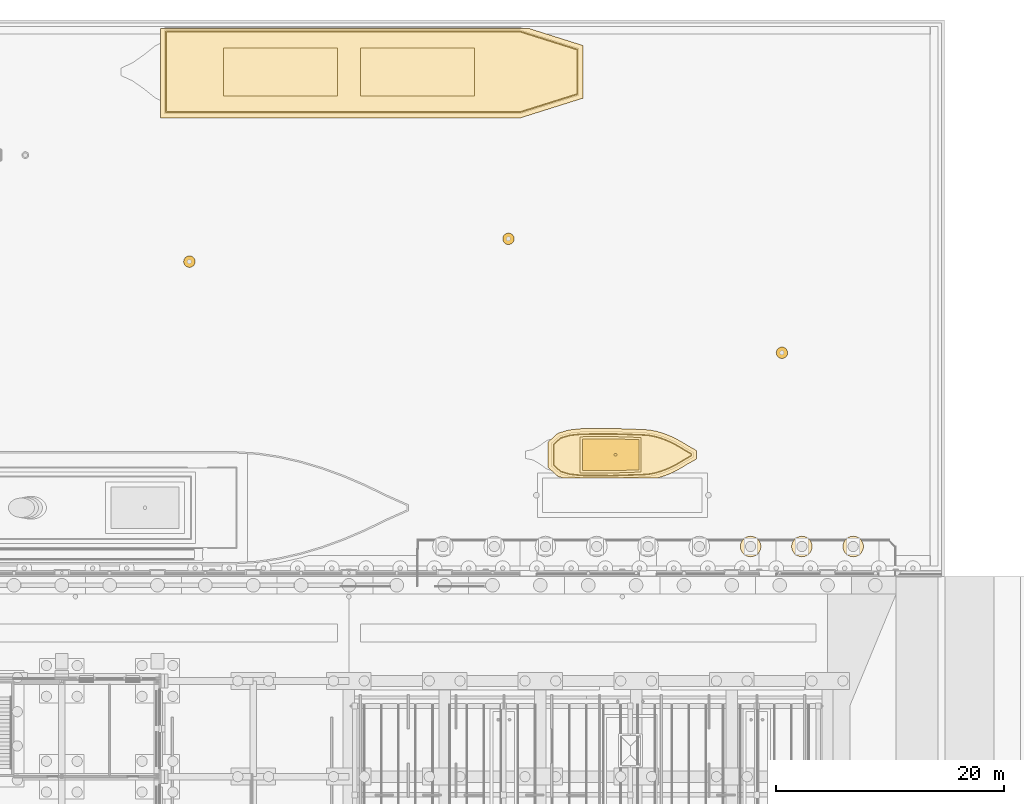
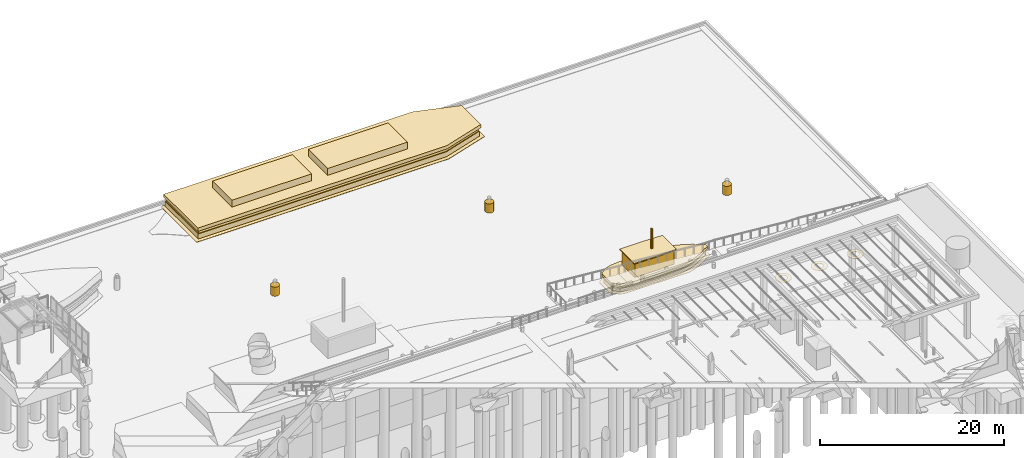
# One storey, part 204 of 222: 19 coverings.
"""IFC4 building model written with IfcOpenShell, lengths in metres."""

from ifc_helpers import new_model, si_unit, direction, frame, origin, origin_2d, place, context, subcontext, project, spatial, polyline, circle, outline, extrude, material, layer, layer_set, type_object, element, save


model = new_model("IFC4")

# Units and contexts
model_context = context("Model", 3, precision=1e-05, world=origin(), true_north=direction((0.0, 1.0)))
body_context = subcontext(model_context, "Body", "Model", "MODEL_VIEW")
ifc_project = project(units=[si_unit("LENGTHUNIT", "METRE"), si_unit("AREAUNIT", "SQUARE_METRE"), si_unit("VOLUMEUNIT", "CUBIC_METRE"), si_unit("PLANEANGLEUNIT", "RADIAN"), si_unit("MASSUNIT", "GRAM", prefix="KILO")], contexts=[model_context])

# Site, building, storey
site_placement = place(None, origin())
site = spatial("IfcSite", under=ifc_project, at=site_placement, CompositionType="ELEMENT")
building_placement = place(site_placement, origin())
building = spatial("IfcBuilding", under=site, at=building_placement, Name="Sava Quay Ferry Terminal", CompositionType="ELEMENT")
storey_placement = place(building_placement, origin())
storey = spatial("IfcBuildingStorey", under=building, at=storey_placement, Name="L00", CompositionType="ELEMENT", Elevation=0.0)

# Coverings
ifc_material_1 = material(Name="Steel S355", Category="steel")
ifc_layer_1 = layer(ifc_material_1, 0.89990234375)
ifc_layer_set_1 = layer_set([ifc_layer_1], Name="Steel S355")
covering_type_1 = type_object("IfcCoveringType", Name="Barge hatch coaming", PredefinedType="CLADDING", material=ifc_layer_set_1)
covering_1_placement = place(storey_placement, frame((0.0, 0.0, -6.39990234375)))
element("IfcCovering", 1, at=covering_1_placement, inside=storey, type_object=covering_type_1, Name="Barge hatch coaming", PredefinedType="CLADDING", context=body_context, shape_type="SweptSolid", body=[
    extrude(outline(polyline([(125.0, 160.554931640625), (125.0, 164.7548828125), (115.0, 164.7548828125), (115.0, 160.554931640625), (125.0, 160.554931640625)])), origin(), (0.0, 0.0, 1.0), 0.89990234375),
])
covering_2_placement = place(storey_placement, frame((0.0, 0.0, -6.39990234375)))
element("IfcCovering", 2, at=covering_2_placement, inside=storey, type_object=covering_type_1, Name="Barge hatch coaming", PredefinedType="CLADDING", context=body_context, shape_type="SweptSolid", body=[
    extrude(outline(polyline([(137.0, 160.554931640625), (137.0, 164.7548828125), (127.0, 164.7548828125), (127.0, 160.554931640625), (137.0, 160.554931640625)])), origin(), (0.0, 0.0, 1.0), 0.89990234375),
])
ifc_material_2 = material(Name="Steel S355", Category="steel")
ifc_layer_2 = layer(ifc_material_2, 1.60009765625)
ifc_layer_set_2 = layer_set([ifc_layer_2], Name="Steel S355")
covering_type_2 = type_object("IfcCoveringType", Name="Barge hull side", PredefinedType="CLADDING", material=ifc_layer_set_2)
covering_3_placement = place(storey_placement, frame((0.0, 0.0, -7.300048828125)))
element("IfcCovering", 3, at=covering_3_placement, inside=storey, type_object=covering_type_2, Name="Moored barge hull", PredefinedType="CLADDING", context=body_context, shape_type="SweptSolid", body=[
    extrude(outline(polyline([(110.0, 159.155029296875), (141.0, 159.155029296875), (146.0, 160.72998046875), (146.0, 164.580078125), (141.0, 166.155029296875), (110.0, 166.155029296875), (110.0, 159.155029296875)])), origin(), (0.0, 0.0, 1.0), 0.449951171875),
])
covering_4_placement = place(storey_placement, frame((0.0, 0.0, -6.85009765625)))
element("IfcCovering", 4, at=covering_4_placement, inside=storey, type_object=covering_type_2, Name="Moored barge hull", PredefinedType="CLADDING", context=body_context, shape_type="SweptSolid", body=[
    extrude(outline(polyline([(109.800048828125, 158.955078125), (141.031005859375, 158.955078125), (146.199951171875, 160.5830078125), (146.199951171875, 164.72705078125), (141.031005859375, 166.35498046875), (109.800048828125, 166.35498046875), (109.800048828125, 158.955078125)])), origin(), (0.0, 0.0, 1.0), 0.4501953125),
])
ifc_material_3 = material(Name="Aluminium cladding", Category="aluminium")
ifc_layer_3 = layer(ifc_material_3, 1.89990234375)
ifc_layer_set_3 = layer_set([ifc_layer_3], Name="Aluminium cladding")
covering_type_3 = type_object("IfcCoveringType", Name="Launch cabin", PredefinedType="CLADDING", material=ifc_layer_set_3)
covering_5_placement = place(storey_placement, frame((0.0, 0.0, -6.800048828125)))
element("IfcCovering", 5, at=covering_5_placement, inside=storey, type_object=covering_type_3, Name="Launch cabin", PredefinedType="CLADDING", context=body_context, shape_type="SweptSolid", body=[
    extrude(outline(polyline([(149.094970703125, 130.449951171875), (146.5, 130.430908203125), (146.5, 127.6689453125), (149.094970703125, 127.64990234375), (151.43994140625, 127.72802734375), (151.43994140625, 130.3720703125), (149.094970703125, 130.449951171875)])), origin(), (0.0, 0.0, 1.0), 1.900146484375),
])
ifc_material_4 = material(Name="Steel S355", Category="steel")
ifc_layer_4 = layer(ifc_material_4, 1.199951171875)
ifc_layer_set_4 = layer_set([ifc_layer_4], Name="Steel S355")
covering_type_4 = type_object("IfcCoveringType", Name="Launch hull side", PredefinedType="CLADDING", material=ifc_layer_set_4)
covering_6_placement = place(storey_placement, frame((0.0, 0.0, -7.5)))
element("IfcCovering", 6, at=covering_6_placement, inside=storey, type_object=covering_type_4, Name="Harbour master's launch hull", PredefinedType="CLADDING", context=body_context, shape_type="SweptSolid", body=[
    extrude(outline(polyline([(144.0, 129.949951171875), (144.0, 128.14990234375), (144.60009765625, 127.610107421875), (145.39990234375, 127.3759765625), (146.39990234375, 127.27001953125), (149.10009765625, 127.25), (151.800048828125, 127.340087890625), (152.324951171875, 127.3798828125), (152.85009765625, 127.48095703125), (153.375, 127.633056640625), (153.89990234375, 127.8310546875), (154.425048828125, 128.073974609375), (154.949951171875, 128.35888671875), (155.47509765625, 128.68505859375), (156.0, 128.97802734375), (156.0, 129.1220703125), (155.47509765625, 129.4150390625), (154.949951171875, 129.740966796875), (154.425048828125, 130.02587890625), (153.89990234375, 130.26904296875), (153.375, 130.467041015625), (152.85009765625, 130.618896484375), (152.324951171875, 130.719970703125), (151.800048828125, 130.760009765625), (149.10009765625, 130.85009765625), (146.39990234375, 130.830078125), (145.39990234375, 130.72412109375), (144.60009765625, 130.489990234375), (144.0, 129.949951171875)])), origin(), (0.0, 0.0, 1.0), 0.35009765625),
])
covering_7_placement = place(storey_placement, frame((0.0, 0.0, -7.14990234375)))
element("IfcCovering", 7, at=covering_7_placement, inside=storey, type_object=covering_type_4, Name="Harbour master's launch hull", PredefinedType="CLADDING", context=body_context, shape_type="SweptSolid", body=[
    extrude(outline(polyline([(143.75, 130.06103515625), (143.75, 128.0390625), (144.47509765625, 127.385986328125), (145.35107421875, 127.1298828125), (146.385986328125, 127.02001953125), (149.10302734375, 127.0), (151.81396484375, 127.090087890625), (152.35791015625, 127.132080078125), (152.907958984375, 127.238037109375), (153.4541015625, 127.39501953125), (153.9970703125, 127.60009765625), (154.537109375, 127.85009765625), (155.075927734375, 128.14306640625), (155.60205078125, 128.468994140625), (156.25, 128.8310546875), (156.25, 129.26904296875), (155.60205078125, 129.631103515625), (155.075927734375, 129.95703125), (154.537109375, 130.25), (153.9970703125, 130.5), (153.4541015625, 130.705078125), (152.907958984375, 130.862060546875), (152.35791015625, 130.968017578125), (151.81396484375, 131.010009765625), (149.10302734375, 131.10009765625), (146.385986328125, 131.080078125), (145.35107421875, 130.969970703125), (144.47509765625, 130.714111328125), (143.75, 130.06103515625)])), origin(), (0.0, 0.0, 1.0), 0.349853515625),
])
ifc_material_5 = material(Name="Steel painted", Category="steel")
ifc_layer_5 = layer(ifc_material_5, 1.0)
ifc_layer_set_5 = layer_set([ifc_layer_5], Name="Steel painted")
covering_type_5 = type_object("IfcCoveringType", Name="Mooring buoy 1000", PredefinedType="CLADDING", material=ifc_layer_set_5)
for number, where, z_axis, x_axis, name in (
    (8, (112.0, 146.0, -6.800048828125), (0.0, 0.0, -1.0), (1.0, 0.0, 0.0), "Mooring buoy"),
    (9, (140.0, 148.0, -6.800048828125), (0.0, 0.0, -1.0), (1.0, 0.0, 0.0), "Mooring buoy"),
    (10, (164.0, 138.0, -6.800048828125), (0.0, 0.0, -1.0), (1.0, 0.0, 0.0), "Mooring buoy"),
):
    element("IfcCovering", number, at=place(storey_placement, frame(where, z_axis=z_axis, x_axis=x_axis)), inside=storey, type_object=covering_type_5, Name=name, PredefinedType="CLADDING", context=body_context, shape_type="SweptSolid", body=[
        extrude(circle(Radius=0.5, at=origin_2d()), origin(), (0.0, 0.0, 1.0), 1.199951171875),
    ])
ifc_material_6 = material(Name="Water")
ifc_layer_6 = layer(ifc_material_6, 0.0400390625)
ifc_layer_set_6 = layer_set([ifc_layer_6], Name="Water")
covering_type_6 = type_object("IfcCoveringType", Name="River foam collar", PredefinedType="CLADDING", material=ifc_layer_set_6)
covering_8_placement = place(storey_placement, frame((0.0, 0.0, -8.0)))
element("IfcCovering", 11, at=covering_8_placement, inside=storey, type_object=covering_type_6, Name="River foam collar", PredefinedType="CLADDING", context=body_context, shape_type="SweptSolid", body=[
    extrude(outline(polyline([(151.827880859375, 131.26904296875), (149.10693359375, 131.360107421875), (146.37109375, 131.340087890625), (145.301025390625, 131.22607421875), (144.344970703125, 130.947021484375), (143.489990234375, 130.177001953125), (143.489990234375, 127.923095703125), (144.344970703125, 127.153076171875), (144.868896484375, 127.0), (153.02294921875, 127.0), (153.535888671875, 127.14794921875), (154.096923828125, 127.360107421875), (154.654052734375, 127.617919921875), (155.2060546875, 127.91796875), (155.73388671875, 128.2451171875), (156.510009765625, 128.678955078125), (156.510009765625, 129.4208984375), (155.73388671875, 129.85498046875), (155.2060546875, 130.181884765625), (154.654052734375, 130.48193359375), (154.096923828125, 130.739990234375), (153.535888671875, 130.951904296875), (152.968994140625, 131.114990234375), (152.39306640625, 131.22607421875), (151.827880859375, 131.26904296875)]), holes=[polyline([(146.39697265625, 127.2099609375), (145.387939453125, 127.31689453125), (144.570068359375, 127.555908203125), (143.93994140625, 128.123046875), (143.93994140625, 129.97705078125), (144.570068359375, 130.5439453125), (145.387939453125, 130.782958984375), (146.39697265625, 130.889892578125), (149.10107421875, 130.909912109375), (151.802978515625, 130.820068359375), (152.3330078125, 130.779052734375), (152.864013671875, 130.677001953125), (153.39404296875, 130.52392578125), (153.923095703125, 130.323974609375), (154.451904296875, 130.080078125), (154.97998046875, 129.79296875), (155.5048828125, 129.467041015625), (156.06005859375, 129.156982421875), (156.06005859375, 128.943115234375), (155.5048828125, 128.633056640625), (154.97998046875, 128.306884765625), (154.451904296875, 128.02001953125), (153.923095703125, 127.77587890625), (153.39404296875, 127.575927734375), (152.864013671875, 127.423095703125), (152.3330078125, 127.321044921875), (151.802978515625, 127.280029296875), (149.10107421875, 127.18994140625), (146.39697265625, 127.2099609375)])]), origin(), (0.0, 0.0, 1.0), 0.0400390625),
])
covering_9_placement = place(storey_placement, frame((0.0, 0.0, -8.0)))
element("IfcCovering", 12, at=covering_9_placement, inside=storey, type_object=covering_type_6, Name="River foam collar", PredefinedType="CLADDING", context=body_context, shape_type="SweptSolid", body=[
    extrude(outline(polyline([(109.469970703125, 166.455078125), (109.469970703125, 158.625), (141.08203125, 158.625), (146.530029296875, 160.341064453125), (146.530029296875, 164.968994140625), (141.81201171875, 166.455078125), (109.469970703125, 166.455078125)]), holes=[polyline([(109.919921875, 166.235107421875), (141.011962890625, 166.235107421875), (146.080078125, 164.638916015625), (146.080078125, 160.6708984375), (141.011962890625, 159.074951171875), (109.919921875, 159.074951171875), (109.919921875, 166.235107421875)])]), origin(), (0.0, 0.0, 1.0), 0.0400390625),
])
covering_10_placement = place(storey_placement, frame((0.0, 0.0, -8.0)))
element("IfcCovering", 13, at=covering_10_placement, inside=storey, type_object=covering_type_6, Name="River foam collar", PredefinedType="CLADDING", context=body_context, shape_type="SweptSolid", body=[
    extrude(outline(polyline([(160.364990234375, 121.176025390625), (160.347900390625, 121.0), (160.364990234375, 120.823974609375), (160.416015625, 120.655029296875), (160.5, 120.4990234375), (160.612060546875, 120.362060546875), (160.7490234375, 120.25), (160.905029296875, 120.166015625), (161.073974609375, 120.114990234375), (161.25, 120.097900390625), (161.426025390625, 120.114990234375), (161.594970703125, 120.166015625), (161.7509765625, 120.25), (161.887939453125, 120.362060546875), (162.0, 120.4990234375), (162.083984375, 120.655029296875), (162.135009765625, 120.823974609375), (162.152099609375, 121.0), (162.135009765625, 121.176025390625), (162.083984375, 121.344970703125), (162.0, 121.5009765625), (161.887939453125, 121.637939453125), (161.7509765625, 121.75), (161.594970703125, 121.833984375), (161.426025390625, 121.885009765625), (161.25, 121.902099609375), (161.073974609375, 121.885009765625), (160.905029296875, 121.833984375), (160.7490234375, 121.75), (160.612060546875, 121.637939453125), (160.5, 121.5009765625), (160.416015625, 121.344970703125), (160.364990234375, 121.176025390625)]), holes=[polyline([(160.80908203125, 120.912109375), (160.800048828125, 121.0), (160.80908203125, 121.087890625), (160.833984375, 121.172119140625), (160.8759765625, 121.25), (160.931884765625, 121.318115234375), (161.0, 121.3740234375), (161.077880859375, 121.416015625), (161.162109375, 121.44091796875), (161.25, 121.449951171875), (161.337890625, 121.44091796875), (161.422119140625, 121.416015625), (161.5, 121.3740234375), (161.568115234375, 121.318115234375), (161.6240234375, 121.25), (161.666015625, 121.172119140625), (161.69091796875, 121.087890625), (161.699951171875, 121.0), (161.69091796875, 120.912109375), (161.666015625, 120.827880859375), (161.6240234375, 120.75), (161.568115234375, 120.681884765625), (161.5, 120.6259765625), (161.422119140625, 120.583984375), (161.337890625, 120.55908203125), (161.25, 120.550048828125), (161.162109375, 120.55908203125), (161.077880859375, 120.583984375), (161.0, 120.6259765625), (160.931884765625, 120.681884765625), (160.8759765625, 120.75), (160.833984375, 120.827880859375), (160.80908203125, 120.912109375)])]), origin(), (0.0, 0.0, 1.0), 0.0400390625),
])
covering_11_placement = place(storey_placement, frame((0.0, 0.0, -8.0)))
element("IfcCovering", 14, at=covering_11_placement, inside=storey, type_object=covering_type_6, Name="River foam collar", PredefinedType="CLADDING", context=body_context, shape_type="SweptSolid", body=[
    extrude(outline(polyline([(164.916015625, 121.344970703125), (164.864990234375, 121.176025390625), (164.847900390625, 121.0), (164.864990234375, 120.823974609375), (164.916015625, 120.655029296875), (165.0, 120.4990234375), (165.112060546875, 120.362060546875), (165.2490234375, 120.25), (165.405029296875, 120.166015625), (165.573974609375, 120.114990234375), (165.75, 120.097900390625), (165.926025390625, 120.114990234375), (166.094970703125, 120.166015625), (166.2509765625, 120.25), (166.387939453125, 120.362060546875), (166.5, 120.4990234375), (166.583984375, 120.655029296875), (166.635009765625, 120.823974609375), (166.652099609375, 121.0), (166.635009765625, 121.176025390625), (166.583984375, 121.344970703125), (166.5, 121.5009765625), (166.387939453125, 121.637939453125), (166.2509765625, 121.75), (166.094970703125, 121.833984375), (165.926025390625, 121.885009765625), (165.75, 121.902099609375), (165.573974609375, 121.885009765625), (165.405029296875, 121.833984375), (165.2490234375, 121.75), (165.112060546875, 121.637939453125), (165.0, 121.5009765625), (164.916015625, 121.344970703125)]), holes=[polyline([(165.333984375, 120.827880859375), (165.30908203125, 120.912109375), (165.300048828125, 121.0), (165.30908203125, 121.087890625), (165.333984375, 121.172119140625), (165.3759765625, 121.25), (165.431884765625, 121.318115234375), (165.5, 121.3740234375), (165.577880859375, 121.416015625), (165.662109375, 121.44091796875), (165.75, 121.449951171875), (165.837890625, 121.44091796875), (165.922119140625, 121.416015625), (166.0, 121.3740234375), (166.068115234375, 121.318115234375), (166.1240234375, 121.25), (166.166015625, 121.172119140625), (166.19091796875, 121.087890625), (166.199951171875, 121.0), (166.19091796875, 120.912109375), (166.166015625, 120.827880859375), (166.1240234375, 120.75), (166.068115234375, 120.681884765625), (166.0, 120.6259765625), (165.922119140625, 120.583984375), (165.837890625, 120.55908203125), (165.75, 120.550048828125), (165.662109375, 120.55908203125), (165.577880859375, 120.583984375), (165.5, 120.6259765625), (165.431884765625, 120.681884765625), (165.3759765625, 120.75), (165.333984375, 120.827880859375)])]), origin(), (0.0, 0.0, 1.0), 0.0400390625),
])
covering_12_placement = place(storey_placement, frame((0.0, 0.0, -8.0)))
element("IfcCovering", 15, at=covering_12_placement, inside=storey, type_object=covering_type_6, Name="River foam collar", PredefinedType="CLADDING", context=body_context, shape_type="SweptSolid", body=[
    extrude(outline(polyline([(169.5, 121.5009765625), (169.416015625, 121.344970703125), (169.364990234375, 121.176025390625), (169.347900390625, 121.0), (169.364990234375, 120.823974609375), (169.416015625, 120.655029296875), (169.5, 120.4990234375), (169.612060546875, 120.362060546875), (169.7490234375, 120.25), (169.905029296875, 120.166015625), (170.073974609375, 120.114990234375), (170.25, 120.097900390625), (170.426025390625, 120.114990234375), (170.594970703125, 120.166015625), (170.7509765625, 120.25), (170.887939453125, 120.362060546875), (171.0, 120.4990234375), (171.083984375, 120.655029296875), (171.135009765625, 120.823974609375), (171.152099609375, 121.0), (171.135009765625, 121.176025390625), (171.083984375, 121.344970703125), (171.0, 121.5009765625), (170.887939453125, 121.637939453125), (170.7509765625, 121.75), (170.594970703125, 121.833984375), (170.426025390625, 121.885009765625), (170.25, 121.902099609375), (170.073974609375, 121.885009765625), (169.905029296875, 121.833984375), (169.7490234375, 121.75), (169.612060546875, 121.637939453125), (169.5, 121.5009765625)]), holes=[polyline([(169.8759765625, 120.75), (169.833984375, 120.827880859375), (169.80908203125, 120.912109375), (169.800048828125, 121.0), (169.80908203125, 121.087890625), (169.833984375, 121.172119140625), (169.8759765625, 121.25), (169.931884765625, 121.318115234375), (170.0, 121.3740234375), (170.077880859375, 121.416015625), (170.162109375, 121.44091796875), (170.25, 121.449951171875), (170.337890625, 121.44091796875), (170.422119140625, 121.416015625), (170.5, 121.3740234375), (170.568115234375, 121.318115234375), (170.6240234375, 121.25), (170.666015625, 121.172119140625), (170.69091796875, 121.087890625), (170.699951171875, 121.0), (170.69091796875, 120.912109375), (170.666015625, 120.827880859375), (170.6240234375, 120.75), (170.568115234375, 120.681884765625), (170.5, 120.6259765625), (170.422119140625, 120.583984375), (170.337890625, 120.55908203125), (170.25, 120.550048828125), (170.162109375, 120.55908203125), (170.077880859375, 120.583984375), (170.0, 120.6259765625), (169.931884765625, 120.681884765625), (169.8759765625, 120.75)])]), origin(), (0.0, 0.0, 1.0), 0.0400390625),
])
ifc_material_7 = material(Name="Steel S355", Category="steel")
ifc_layer_7 = layer(ifc_material_7, 0.1201171875)
ifc_layer_set_7 = layer_set([ifc_layer_7], Name="Steel S355")
covering_type_7 = type_object("IfcCoveringType", Name="Vessel deck plate 120", PredefinedType="FLOORING", material=ifc_layer_set_7)
covering_13_placement = place(storey_placement, frame((0.0, 0.0, -4.89990234375)))
element("IfcCovering", 16, at=covering_13_placement, inside=storey, type_object=covering_type_7, Name="Launch cabin roof", PredefinedType="FLOORING", context=body_context, shape_type="SweptSolid", body=[
    extrude(outline(polyline([(149.096923828125, 130.64990234375), (146.300048828125, 130.6298828125), (146.300048828125, 127.469970703125), (149.096923828125, 127.449951171875), (151.639892578125, 127.534912109375), (151.639892578125, 130.56494140625), (149.096923828125, 130.64990234375)])), origin(), (0.0, 0.0, 1.0), 0.119873046875),
])
ifc_material_8 = material(Name="Steel S355", Category="steel")
ifc_layer_8 = layer(ifc_material_8, 0.25)
ifc_layer_set_8 = layer_set([ifc_layer_8], Name="Steel S355")
covering_type_8 = type_object("IfcCoveringType", Name="Vessel mast 250", PredefinedType="CLADDING", material=ifc_layer_set_8)
covering_14_placement = place(storey_placement, frame((149.39990234375, 129.050048828125, -2.179931640625), z_axis=(0.0, 0.0, -1.0), x_axis=(1.0, 0.0, 0.0)))
element("IfcCovering", 17, at=covering_14_placement, inside=storey, type_object=covering_type_8, Name="Launch mast", PredefinedType="CLADDING", context=body_context, shape_type="SweptSolid", body=[
    extrude(circle(Radius=0.125, at=origin_2d()), origin(), (0.0, 0.0, 1.0), 2.60009765625),
])
ifc_material_9 = material(Name="Steel S355", Category="steel")
ifc_layer_9 = layer(ifc_material_9, 0.89990234375)
ifc_layer_set_9 = layer_set([ifc_layer_9], Name="Steel S355")
covering_type_9 = type_object("IfcCoveringType", Name="Vessel waterline band 800", PredefinedType="CLADDING", material=ifc_layer_set_9)
covering_15_placement = place(storey_placement, frame((0.0, 0.0, -8.0)))
element("IfcCovering", 18, at=covering_15_placement, inside=storey, type_object=covering_type_9, Name="Launch waterline band", PredefinedType="CLADDING", context=body_context, shape_type="SweptSolid", body=[
    extrude(outline(polyline([(143.93994140625, 129.97705078125), (143.93994140625, 128.123046875), (144.570068359375, 127.555908203125), (145.387939453125, 127.31689453125), (146.39697265625, 127.2099609375), (149.10107421875, 127.18994140625), (151.802978515625, 127.280029296875), (152.3330078125, 127.321044921875), (152.864013671875, 127.423095703125), (153.39404296875, 127.575927734375), (153.923095703125, 127.77587890625), (154.451904296875, 128.02001953125), (154.97998046875, 128.306884765625), (155.5048828125, 128.633056640625), (156.06005859375, 128.943115234375), (156.06005859375, 129.156982421875), (155.5048828125, 129.467041015625), (154.97998046875, 129.79296875), (154.451904296875, 130.080078125), (153.923095703125, 130.323974609375), (153.39404296875, 130.52392578125), (152.864013671875, 130.677001953125), (152.3330078125, 130.779052734375), (151.802978515625, 130.820068359375), (149.10107421875, 130.909912109375), (146.39697265625, 130.889892578125), (145.387939453125, 130.782958984375), (144.570068359375, 130.5439453125), (143.93994140625, 129.97705078125)])), origin(), (0.0, 0.0, 1.0), 0.5),
])
covering_16_placement = place(storey_placement, frame((0.0, 0.0, -8.0)))
element("IfcCovering", 19, at=covering_16_placement, inside=storey, type_object=covering_type_9, Name="Barge waterline band", PredefinedType="CLADDING", context=body_context, shape_type="SweptSolid", body=[
    extrude(outline(polyline([(109.919921875, 159.074951171875), (141.011962890625, 159.074951171875), (146.080078125, 160.6708984375), (146.080078125, 164.638916015625), (141.011962890625, 166.235107421875), (109.919921875, 166.235107421875), (109.919921875, 159.074951171875)])), origin(), (0.0, 0.0, 1.0), 0.699951171875),
])

save(model, "model.ifc")
